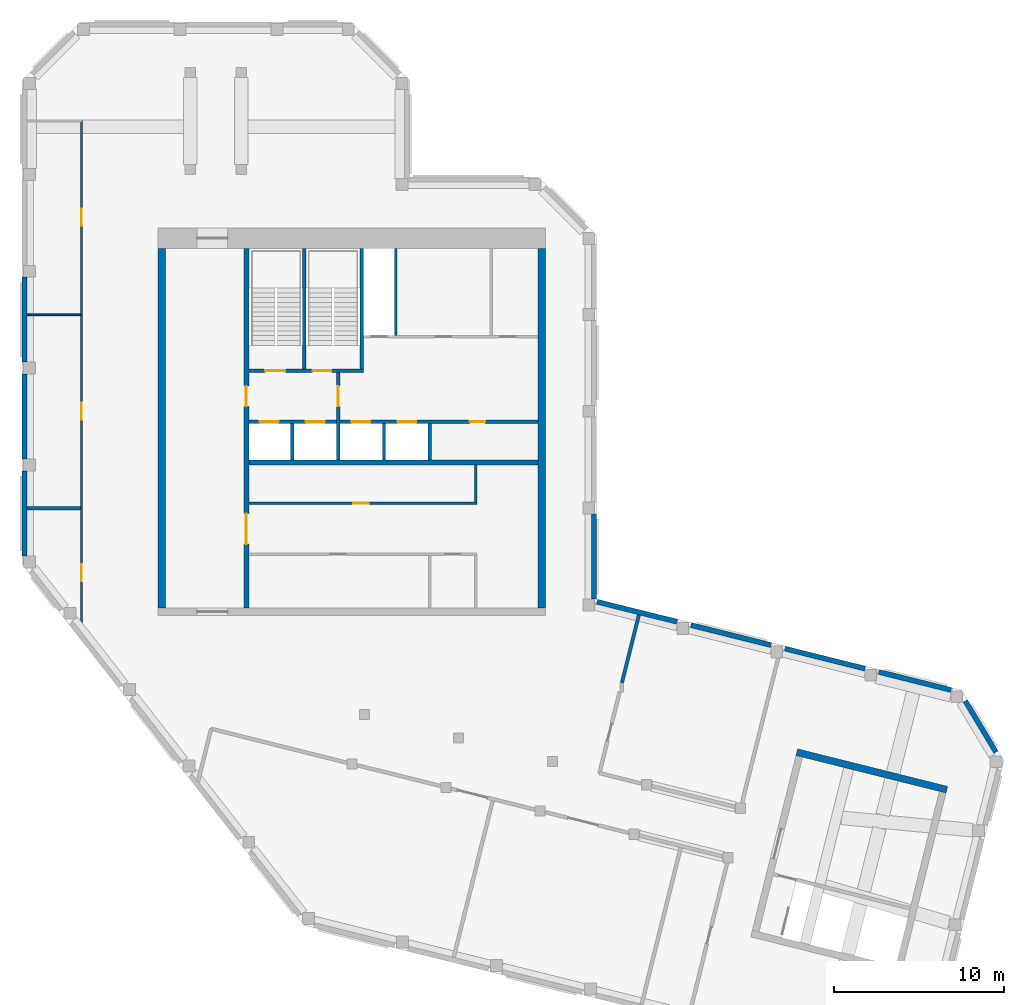
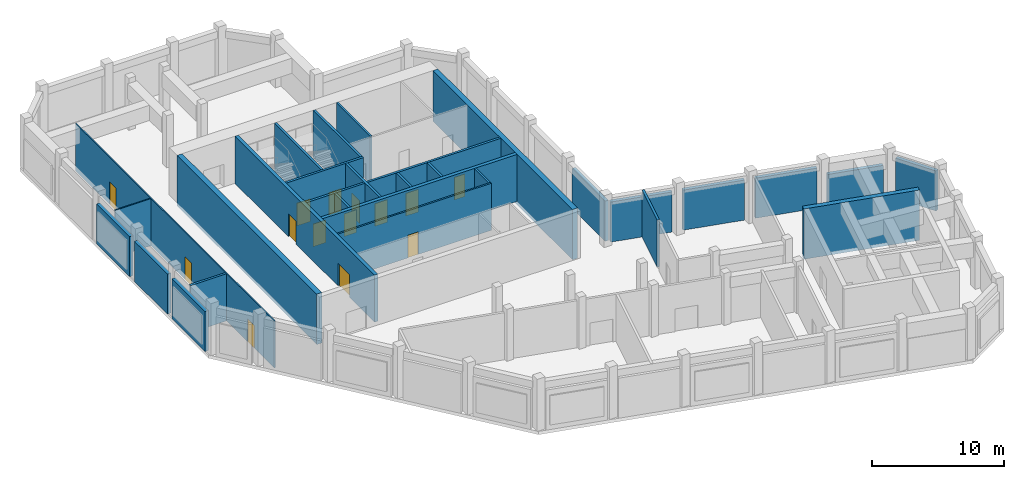
# One storey, part 3 of 5: 29 walls, 14 doors, 14 openings.
"""IFC4 building model written with IfcOpenShell, lengths in metres."""

from ifc_helpers import new_model, si_unit, direction, frame, frame_2d, origin, place, context, subcontext, project, spatial, rectangle, extrude, material, layer, layer_set, type_object, element, fill, save


model = new_model("IFC4")

# Units and contexts
model_context = context("Model", 3, precision=1e-05, world=origin(), true_north=direction((0.0, 1.0)))
body_context = subcontext(model_context, "Body", "Model", "MODEL_VIEW")
ifc_project = project(units=[si_unit("LENGTHUNIT", "METRE"), si_unit("AREAUNIT", "SQUARE_METRE"), si_unit("VOLUMEUNIT", "CUBIC_METRE"), si_unit("PLANEANGLEUNIT", "RADIAN"), si_unit("MASSUNIT", "GRAM", prefix="KILO")], contexts=[model_context])

# Site, building, storey
site_placement = place(None, origin())
site = spatial("IfcSite", under=ifc_project, at=site_placement, CompositionType="ELEMENT")
building_placement = place(site_placement, origin())
building = spatial("IfcBuilding", under=site, at=building_placement, Name="Meshkara Civic Tower", CompositionType="ELEMENT")
storey_placement = place(building_placement, frame((0.0, 0.0, 405.0)))
storey = spatial("IfcBuildingStorey", under=building, at=storey_placement, Name="L93 Crown", CompositionType="ELEMENT", Elevation=405.0)

# Walls
ifc_material_1 = material(Name="Insulated infill panel with bronze anodised aluminium cladding", Category="aluminium")
ifc_layer_1 = layer(ifc_material_1, 0.300048828125)
ifc_layer_set_1 = layer_set([ifc_layer_1], Name="CROWN WALL 300")
wall_type_1 = type_object("IfcWallType", Name="CROWN WALL 300", PredefinedType="SOLIDWALL", material=ifc_layer_set_1)
wall_1_placement = place(storey_placement, frame((54.6630859375, 9.714111328125, 0.0), z_axis=(0.0, 0.0, 1.0), x_axis=(-0.970270622343, 0.24202255973, 0.0)))
element("IfcWall", 1, at=wall_1_placement, inside=storey, type_object=wall_type_1, Name="Crown external wall", PredefinedType="SOLIDWALL", context=body_context, shape_type="SweptSolid", body=[
    extrude(rectangle(XDim=4.366943359375, YDim=0.300048828125, at=frame_2d((2.18359375, 0.0))), origin(), (0.0, 0.0, 1.0), 2.949951171875),
])
wall_2_placement = place(storey_placement, frame((49.60302734375, 10.97607421875, 0.0), z_axis=(0.0, 0.0, 1.0), x_axis=(-0.970296212968, 0.241919943578, 0.0)))
element("IfcWall", 2, at=wall_2_placement, inside=storey, type_object=wall_type_1, Name="Crown external wall", PredefinedType="SOLIDWALL", context=body_context, shape_type="SweptSolid", body=[
    extrude(rectangle(XDim=4.85205078125, YDim=0.300048828125, at=frame_2d((2.426025390625, 0.0))), origin(), (0.0, 0.0, 1.0), 3.699951171875),
])
wall_3_placement = place(storey_placement, frame((44.072021484375, 12.35498046875, 0.0), z_axis=(0.0, 0.0, 1.0), x_axis=(-0.970272614069, 0.242014574744, 0.0)))
element("IfcWall", 3, at=wall_3_placement, inside=storey, type_object=wall_type_1, Name="Crown external wall", PredefinedType="SOLIDWALL", context=body_context, shape_type="SweptSolid", body=[
    extrude(rectangle(XDim=4.851318359375, YDim=0.300048828125, at=frame_2d((2.42578125, 0.0))), origin(), (0.0, 0.0, 1.0), 3.699951171875),
])
wall_4_placement = place(storey_placement, frame((38.5419921875, 13.73388671875, 0.0), z_axis=(0.0, 0.0, 1.0), x_axis=(-0.970284401049, 0.241967314076, 0.0)))
element("IfcWall", 4, at=wall_4_placement, inside=storey, type_object=wall_type_1, Name="Crown external wall", PredefinedType="SOLIDWALL", context=body_context, shape_type="SweptSolid", body=[
    extrude(rectangle(XDim=4.852294921875, YDim=0.300048828125, at=frame_2d((2.42626953125, 0.0))), origin(), (0.0, 0.0, 1.0), 3.699951171875),
])
for number, where, z_axis, x_axis, name in (
    (5, (33.64990234375, 15.069091796875, 0.0), (0.0, 0.0, 1.0), (0.0, 1.0, 0.0), "Crown external wall"),
    (6, (0.14990234375, 34.0048828125, 0.0), (0.0, 0.0, 1.0), (0.0, -1.0, 0.0), "Crown external wall"),
    (7, (0.14990234375, 28.304931640625, 0.0), (0.0, 0.0, 1.0), (0.0, -1.0, 0.0), "Crown external wall"),
    (8, (0.14990234375, 22.60498046875, 0.0), (0.0, 0.0, 1.0), (0.0, -1.0, 0.0), "Crown external wall"),
):
    element("IfcWall", number, at=place(storey_placement, frame(where, z_axis=z_axis, x_axis=x_axis)), inside=storey, type_object=wall_type_1, Name=name, PredefinedType="SOLIDWALL", context=body_context, shape_type="SweptSolid", body=[
        extrude(rectangle(XDim=5.0, YDim=0.300048828125, at=frame_2d((2.5, 0.0))), origin(), (0.0, 0.0, 1.0), 3.699951171875),
    ])
wall_5_placement = place(storey_placement, frame((57.31103515625, 6.06005859375, 0.0), z_axis=(0.0, 0.0, 1.0), x_axis=(-0.514956880481, 0.857216082003, 0.0)))
element("IfcWall", 9, at=wall_5_placement, inside=storey, type_object=wall_type_1, Name="Crown external wall", PredefinedType="SOLIDWALL", context=body_context, shape_type="SweptSolid", body=[
    extrude(rectangle(XDim=3.503173828125, YDim=0.300048828125, at=frame_2d((1.75146484375, 0.0))), origin(), (0.0, 0.0, 1.0), 3.699951171875),
])

# Wall, opening, door
ifc_material_2 = material(Name="Blockwork", Category="masonry")
ifc_layer_2 = layer(ifc_material_2, 0.14990234375)
ifc_layer_set_2 = layer_set([ifc_layer_2], Name="Core partition 150")
wall_type_2 = type_object("IfcWallType", Name="Core partition 150", PredefinedType="PARTITIONING", material=ifc_layer_set_2)
wall_6_placement = place(storey_placement, frame((13.35009765625, 20.699951171875, 0.0), z_axis=(0.0, 0.0, 1.0), x_axis=(1.0, 0.0, 0.0)))
wall_6 = element("IfcWall", 10, at=wall_6_placement, inside=storey, type_object=wall_type_2, Name="L93 Crown-C006", PredefinedType="PARTITIONING", context=body_context, shape_type="SweptSolid", body=[
    extrude(rectangle(XDim=13.4248046875, YDim=0.14990234375, at=frame_2d((6.71240234375, 0.0))), origin(), (0.0, 0.0, 1.0), 4.35009765625),
])
opening_1_placement = place(wall_6_placement, frame((6.14990234375, 0.0, 0.0)))
opening_1 = element("IfcOpeningElement", 11, at=opening_1_placement, cuts=wall_6, Name="Opening L93 Crown-K007", PredefinedType="OPENING", context=body_context, shape_type="SweptSolid", body=[
    extrude(rectangle(XDim=0.89990234375, YDim=2.10009765625, at=frame_2d((0.449951171875, 1.050048828125))), frame((0.0, 0.0849609375, 0.0), z_axis=(0.0, -1.0, 0.0), x_axis=(1.0, 0.0, 0.0)), (0.0, 0.0, 1.0), 0.169921875),
])
ifc_material_3 = material(Name="Timber door leaf in steel frame", Category="steel")
door_type_1 = type_object("IfcDoorType", Name="Core room door 900", OperationType="SINGLE_SWING_LEFT", PredefinedType="DOOR", material=ifc_material_3)
door_1_placement = place(opening_1_placement, origin())
door_1 = element("IfcDoor", 12, at=door_1_placement, inside=storey, type_object=door_type_1, Name="L93 Crown-K007", OperationType="SINGLE_SWING_RIGHT", OverallHeight=2.10009765625, OverallWidth=0.89990234375, PredefinedType="DOOR", context=body_context, shape_type="SweptSolid", body=[
    extrude(rectangle(XDim=0.89990234375, YDim=2.10009765625, at=frame_2d((0.449951171875, 1.050048828125))), frame((0.0, 0.02490234375, 0.0), z_axis=(0.0, -1.0, 0.0), x_axis=(1.0, 0.0, 0.0)), (0.0, 0.0, 1.0), 0.050048828125),
])
fill(opening_1, door_1)

# Walls
wall_7_placement = place(storey_placement, frame((22.0, 30.574951171875, 0.0), z_axis=(0.0, 0.0, 1.0), x_axis=(0.0, 1.0, 0.0)))
element("IfcWall", 13, at=wall_7_placement, inside=storey, type_object=wall_type_2, Name="L93 Crown-C017", PredefinedType="PARTITIONING", context=body_context, shape_type="SweptSolid", body=[
    extrude(rectangle(XDim=5.125, YDim=0.14990234375, at=frame_2d((2.5625, 0.0))), origin(), (0.0, 0.0, 1.0), 4.35009765625),
])
wall_8_placement = place(storey_placement, frame((26.699951171875, 20.77490234375, 0.0), z_axis=(0.0, 0.0, 1.0), x_axis=(0.0, 1.0, 0.0)))
element("IfcWall", 14, at=wall_8_placement, inside=storey, type_object=wall_type_2, Name="L93 Crown-C021", PredefinedType="PARTITIONING", context=body_context, shape_type="SweptSolid", body=[
    extrude(rectangle(XDim=2.175048828125, YDim=0.14990234375, at=frame_2d((1.08740234375, 0.0))), origin(), (0.0, 0.0, 1.0), 4.35009765625),
])
ifc_material_4 = material(Name="Concrete C50", Category="concrete")
ifc_layer_3 = layer(ifc_material_4, 0.449951171875)
ifc_layer_set_3 = layer_set([ifc_layer_3], Name="Core ring wall 450 C50")
wall_type_3 = type_object("IfcWallType", Name="Core ring wall 450 C50", PredefinedType="SHEAR", material=ifc_layer_set_3)
for number, where, z_axis, x_axis, name in (
    (15, (8.22509765625, 14.550048828125, -0.300048828125), (0.0, 0.0, 1.0), (0.0, 1.0, 0.0), "L93 Crown-C003"),
    (16, (30.574951171875, 14.550048828125, -0.300048828125), (0.0, 0.0, 1.0), (0.0, 1.0, 0.0), "L93 Crown-C004"),
):
    element("IfcWall", number, at=place(storey_placement, frame(where, z_axis=z_axis, x_axis=x_axis)), inside=storey, type_object=wall_type_3, Name=name, PredefinedType="SHEAR", context=body_context, shape_type="SweptSolid", body=[
        extrude(rectangle(XDim=21.14990234375, YDim=0.449951171875, at=frame_2d((10.574951171875, 0.0))), origin(), (0.0, 0.0, 1.0), 4.650146484375),
    ])
ifc_material_5 = material(Name="Concrete C50", Category="concrete")
ifc_layer_4 = layer(ifc_material_5, 0.300048828125)
ifc_layer_set_4 = layer_set([ifc_layer_4], Name="Core shear wall 300 C50")
wall_type_4 = type_object("IfcWallType", Name="Core shear wall 300 C50", PredefinedType="SHEAR", material=ifc_layer_set_4)
wall_9_placement = place(storey_placement, frame((13.35009765625, 23.10009765625, 0.0), z_axis=(0.0, 0.0, 1.0), x_axis=(1.0, 0.0, 0.0)))
element("IfcWall", 17, at=wall_9_placement, inside=storey, type_object=wall_type_4, Name="L93 Crown-C007", PredefinedType="SHEAR", context=body_context, shape_type="SweptSolid", body=[
    extrude(rectangle(XDim=17.0, YDim=0.300048828125, at=frame_2d((8.5, 0.0))), origin(), (0.0, 0.0, 1.0), 4.35009765625),
])

# Wall, openings, doors
wall_10_placement = place(storey_placement, frame((13.199951171875, 14.550048828125, 0.0), z_axis=(0.0, 0.0, 1.0), x_axis=(0.0, 1.0, 0.0)))
wall_10 = element("IfcWall", 18, at=wall_10_placement, inside=storey, type_object=wall_type_4, Name="L93 Crown-C011", PredefinedType="SHEAR", context=body_context, shape_type="SweptSolid", body=[
    extrude(rectangle(XDim=21.14990234375, YDim=0.300048828125, at=frame_2d((10.574951171875, 0.0))), origin(), (0.0, 0.0, 1.0), 4.35009765625),
])
opening_2_placement = place(wall_10_placement, frame((3.75, 0.0, 0.0)))
opening_2 = element("IfcOpeningElement", 19, at=opening_2_placement, cuts=wall_10, Name="Opening L93 Crown-K014", PredefinedType="OPENING", context=body_context, shape_type="SweptSolid", body=[
    extrude(rectangle(XDim=1.800048828125, YDim=2.10009765625, at=frame_2d((0.89990234375, 1.050048828125))), frame((0.0, 0.159912109375, 0.0), z_axis=(0.0, -1.0, 0.0), x_axis=(1.0, 0.0, 0.0)), (0.0, 0.0, 1.0), 0.320068359375),
])
opening_3_placement = place(wall_10_placement, frame((11.85009765625, 0.0, 0.0)))
opening_3 = element("IfcOpeningElement", 20, at=opening_3_placement, cuts=wall_10, Name="Opening L93 Crown-K015", PredefinedType="OPENING", context=body_context, shape_type="SweptSolid", body=[
    extrude(rectangle(XDim=1.199951171875, YDim=2.10009765625, at=frame_2d((0.60009765625, 1.050048828125))), frame((0.0, 0.159912109375, 0.0), z_axis=(0.0, -1.0, 0.0), x_axis=(1.0, 0.0, 0.0)), (0.0, 0.0, 1.0), 0.320068359375),
])
ifc_material_6 = material(Name="Fire-rated door leaf in steel frame", Category="steel")
door_type_2 = type_object("IfcDoorType", Name="Core double door 1800 EI 60", OperationType="DOUBLE_DOOR_SINGLE_SWING", PredefinedType="DOOR", material=ifc_material_6)
door_2_placement = place(opening_2_placement, origin())
door_2 = element("IfcDoor", 21, at=door_2_placement, inside=storey, type_object=door_type_2, Name="L93 Crown-K014", OperationType="DOUBLE_DOOR_SINGLE_SWING", OverallHeight=2.10009765625, OverallWidth=1.800048828125, PredefinedType="DOOR", context=body_context, shape_type="SweptSolid", body=[
    extrude(rectangle(XDim=1.800048828125, YDim=2.10009765625, at=frame_2d((0.89990234375, 1.050048828125))), frame((0.0, 0.02490234375, 0.0), z_axis=(0.0, -1.0, 0.0), x_axis=(1.0, 0.0, 0.0)), (0.0, 0.0, 1.0), 0.050048828125),
])
fill(opening_2, door_2)
ifc_material_7 = material(Name="Fire-rated door leaf in steel frame", Category="steel")
door_type_3 = type_object("IfcDoorType", Name="Fire-fighting lobby door 1200 EI 120", OperationType="SINGLE_SWING_LEFT", PredefinedType="DOOR", material=ifc_material_7)
door_3_placement = place(opening_3_placement, origin())
door_3 = element("IfcDoor", 22, at=door_3_placement, inside=storey, type_object=door_type_3, Name="L93 Crown-K015", OperationType="SINGLE_SWING_LEFT", OverallHeight=2.10009765625, OverallWidth=1.199951171875, PredefinedType="DOOR", context=body_context, shape_type="SweptSolid", body=[
    extrude(rectangle(XDim=1.199951171875, YDim=2.10009765625, at=frame_2d((0.60009765625, 1.050048828125))), frame((0.0, 0.02490234375, 0.0), z_axis=(0.0, -1.0, 0.0), x_axis=(1.0, 0.0, 0.0)), (0.0, 0.0, 1.0), 0.050048828125),
])
fill(opening_3, door_3)

ifc_material_8 = material(Name="Corridor wall 100")
ifc_layer_5 = layer(ifc_material_8, 0.10009765625)
ifc_layer_set_5 = layer_set([ifc_layer_5], Name="Corridor wall 100")
wall_type_5 = type_object("IfcWallType", Name="Corridor wall 100", PredefinedType="PARTITIONING", material=ifc_layer_set_5)
wall_11_placement = place(storey_placement, frame((3.5, 43.199951171875, 0.0), z_axis=(0.0, 0.0, 1.0), x_axis=(0.0, -1.0, 0.0)))
wall_11 = element("IfcWall", 23, at=wall_11_placement, inside=storey, type_object=wall_type_5, Name="L93 Crown-R002", PredefinedType="PARTITIONING", context=body_context, shape_type="SweptSolid", body=[
    extrude(rectangle(XDim=30.093017578125, YDim=0.10009765625, at=frame_2d((15.04638671875, 0.0))), origin(), (0.0, 0.0, 1.0), 4.35009765625),
])
opening_4_placement = place(wall_11_placement, frame((26.080078125, 0.0, 0.0)))
opening_4 = element("IfcOpeningElement", 24, at=opening_4_placement, cuts=wall_11, Name="Opening L93 Crown-P005", PredefinedType="OPENING", context=body_context, shape_type="SweptSolid", body=[
    extrude(rectangle(XDim=1.0, YDim=2.10009765625, at=frame_2d((0.5, 1.050048828125))), frame((0.0, 0.06005859375, 0.0), z_axis=(0.0, -1.0, 0.0), x_axis=(1.0, 0.0, 0.0)), (0.0, 0.0, 1.0), 0.1201171875),
])
opening_5_placement = place(wall_11_placement, frame((16.580078125, 0.0, 0.0)))
opening_5 = element("IfcOpeningElement", 25, at=opening_5_placement, cuts=wall_11, Name="Opening L93 Crown-P006", PredefinedType="OPENING", context=body_context, shape_type="SweptSolid", body=[
    extrude(rectangle(XDim=1.0, YDim=2.10009765625, at=frame_2d((0.5, 1.050048828125))), frame((0.0, 0.06005859375, 0.0), z_axis=(0.0, -1.0, 0.0), x_axis=(1.0, 0.0, 0.0)), (0.0, 0.0, 1.0), 0.1201171875),
])
opening_6_placement = place(wall_11_placement, frame((5.179931640625, 0.0, 0.0)))
opening_6 = element("IfcOpeningElement", 26, at=opening_6_placement, cuts=wall_11, Name="Opening L93 Crown-P007", PredefinedType="OPENING", context=body_context, shape_type="SweptSolid", body=[
    extrude(rectangle(XDim=1.0, YDim=2.10009765625, at=frame_2d((0.5, 1.050048828125))), frame((0.0, 0.06005859375, 0.0), z_axis=(0.0, -1.0, 0.0), x_axis=(1.0, 0.0, 0.0)), (0.0, 0.0, 1.0), 0.1201171875),
])
ifc_material_9 = material(Name="Door 1000 x 2100")
door_type_4 = type_object("IfcDoorType", Name="Door 1000 x 2100", OperationType="SINGLE_SWING_LEFT", PredefinedType="DOOR", material=ifc_material_9)
door_4_placement = place(opening_4_placement, origin())
door_4 = element("IfcDoor", 27, at=door_4_placement, inside=storey, type_object=door_type_4, Name="L93 Crown-P005", OperationType="SINGLE_SWING_RIGHT", OverallHeight=2.10009765625, OverallWidth=1.0, PredefinedType="DOOR", context=body_context, shape_type="SweptSolid", body=[
    extrude(rectangle(XDim=1.0, YDim=2.10009765625, at=frame_2d((0.5, 1.050048828125))), frame((0.0, 0.02490234375, 0.0), z_axis=(0.0, -1.0, 0.0), x_axis=(1.0, 0.0, 0.0)), (0.0, 0.0, 1.0), 0.050048828125),
])
fill(opening_4, door_4)
door_5_placement = place(opening_5_placement, origin())
door_5 = element("IfcDoor", 28, at=door_5_placement, inside=storey, type_object=door_type_4, Name="L93 Crown-P006", OperationType="SINGLE_SWING_LEFT", OverallHeight=2.10009765625, OverallWidth=1.0, PredefinedType="DOOR", context=body_context, shape_type="SweptSolid", body=[
    extrude(rectangle(XDim=1.0, YDim=2.10009765625, at=frame_2d((0.5, 1.050048828125))), frame((0.0, 0.02490234375, 0.0), z_axis=(0.0, -1.0, 0.0), x_axis=(1.0, 0.0, 0.0)), (0.0, 0.0, 1.0), 0.050048828125),
])
fill(opening_5, door_5)
door_6_placement = place(opening_6_placement, origin())
door_6 = element("IfcDoor", 29, at=door_6_placement, inside=storey, type_object=door_type_4, Name="L93 Crown-P007", OperationType="SINGLE_SWING_LEFT", OverallHeight=2.10009765625, OverallWidth=1.0, PredefinedType="DOOR", context=body_context, shape_type="SweptSolid", body=[
    extrude(rectangle(XDim=1.0, YDim=2.10009765625, at=frame_2d((0.5, 1.050048828125))), frame((0.0, 0.02490234375, 0.0), z_axis=(0.0, -1.0, 0.0), x_axis=(1.0, 0.0, 0.0)), (0.0, 0.0, 1.0), 0.050048828125),
])
fill(opening_6, door_6)

# Walls
ifc_material_10 = material(Name="Concrete C50", Category="concrete")
ifc_layer_6 = layer(ifc_material_10, 0.39990234375)
ifc_layer_set_6 = layer_set([ifc_layer_6], Name="End core ring wall 400 C50")
wall_type_6 = type_object("IfcWallType", Name="End core ring wall 400 C50", PredefinedType="SHEAR", material=ifc_layer_set_6)
wall_12_placement = place(storey_placement, frame((45.587890625, 6.051025390625, -0.300048828125), z_axis=(0.0, 0.0, 1.0), x_axis=(0.970312696888, -0.241853820019, 0.0)))
element("IfcWall", 30, at=wall_12_placement, inside=storey, type_object=wall_type_6, Name="L93 Crown-C024", PredefinedType="SHEAR", context=body_context, shape_type="SweptSolid", body=[
    extrude(rectangle(XDim=9.100341796875, YDim=0.39990234375, at=frame_2d((4.55029296875, 0.0))), origin(), (0.0, 0.0, 1.0), 4.650146484375),
])
ifc_material_11 = material(Name="Fire-rated wall 200")
ifc_layer_7 = layer(ifc_material_11, 0.199951171875)
ifc_layer_set_7 = layer_set([ifc_layer_7], Name="Fire-rated wall 200")
wall_type_7 = type_object("IfcWallType", Name="Fire-rated wall 200", PredefinedType="PARTITIONING", material=ifc_layer_set_7)
wall_13_placement = place(storey_placement, frame((35.300048828125, 10.134033203125, 0.0), z_axis=(0.0, 0.0, 1.0), x_axis=(0.24203457236, 0.970267625855, 0.0)))
element("IfcWall", 31, at=wall_13_placement, inside=storey, type_object=wall_type_7, Name="L93 Crown-R010", PredefinedType="PARTITIONING", context=body_context, shape_type="SweptSolid", body=[
    extrude(rectangle(XDim=4.127685546875, YDim=0.199951171875, at=frame_2d((2.06396484375, 0.0))), origin(), (0.0, 0.0, 1.0), 4.35009765625),
])
wall_14_placement = place(storey_placement, frame((3.449951171875, 20.39990234375, 0.0), z_axis=(0.0, 0.0, 1.0), x_axis=(-1.0, 0.0, 0.0)))
element("IfcWall", 32, at=wall_14_placement, inside=storey, type_object=wall_type_7, Name="L93 Crown-R016", PredefinedType="PARTITIONING", context=body_context, shape_type="SweptSolid", body=[
    extrude(rectangle(XDim=3.14990234375, YDim=0.199951171875, at=frame_2d((1.574951171875, 0.0))), origin(), (0.0, 0.0, 1.0), 4.35009765625),
])
ifc_material_12 = material(Name="Partition 100")
ifc_layer_8 = layer(ifc_material_12, 0.10009765625)
ifc_layer_set_8 = layer_set([ifc_layer_8], Name="Partition 100")
wall_type_8 = type_object("IfcWallType", Name="Partition 100", PredefinedType="PARTITIONING", material=ifc_layer_set_8)
wall_15_placement = place(storey_placement, frame((3.449951171875, 31.800048828125, 0.0), z_axis=(0.0, 0.0, 1.0), x_axis=(-1.0, 0.0, 0.0)))
element("IfcWall", 33, at=wall_15_placement, inside=storey, type_object=wall_type_8, Name="L93 Crown-R017", PredefinedType="PARTITIONING", context=body_context, shape_type="SweptSolid", body=[
    extrude(rectangle(XDim=3.14990234375, YDim=0.10009765625, at=frame_2d((1.574951171875, 0.0))), origin(), (0.0, 0.0, 1.0), 4.35009765625),
])

# Wall, openings, doors
ifc_material_13 = material(Name="Concrete C40/50", Category="concrete")
ifc_layer_9 = layer(ifc_material_13, 0.199951171875)
ifc_layer_set_9 = layer_set([ifc_layer_9], Name="Shaft wall 200 C40/50")
wall_type_9 = type_object("IfcWallType", Name="Shaft wall 200 C40/50", PredefinedType="SOLIDWALL", material=ifc_layer_set_9)
wall_16_placement = place(storey_placement, frame((13.35009765625, 25.5, 0.0), z_axis=(0.0, 0.0, 1.0), x_axis=(1.0, 0.0, 0.0)))
wall_16 = element("IfcWall", 34, at=wall_16_placement, inside=storey, type_object=wall_type_9, Name="L93 Crown-C008", PredefinedType="SOLIDWALL", context=body_context, shape_type="SweptSolid", body=[
    extrude(rectangle(XDim=17.0, YDim=0.199951171875, at=frame_2d((8.5, 0.0))), origin(), (0.0, 0.0, 1.0), 4.35009765625),
])
opening_7_placement = place(wall_16_placement, frame((0.64990234375, 0.0, 0.0)))
opening_7 = element("IfcOpeningElement", 35, at=opening_7_placement, cuts=wall_16, Name="Opening L93 Crown-K001", PredefinedType="OPENING", context=body_context, shape_type="SweptSolid", body=[
    extrude(rectangle(XDim=1.10009765625, YDim=2.10009765625, at=frame_2d((0.550048828125, 1.050048828125))), frame((0.0, 0.10986328125, 0.0), z_axis=(0.0, -1.0, 0.0), x_axis=(1.0, 0.0, 0.0)), (0.0, 0.0, 1.0), 0.219970703125),
])
opening_8_placement = place(wall_16_placement, frame((3.35009765625, 0.0, 0.0)))
opening_8 = element("IfcOpeningElement", 36, at=opening_8_placement, cuts=wall_16, Name="Opening L93 Crown-K002", PredefinedType="OPENING", context=body_context, shape_type="SweptSolid", body=[
    extrude(rectangle(XDim=1.10009765625, YDim=2.10009765625, at=frame_2d((0.550048828125, 1.050048828125))), frame((0.0, 0.10986328125, 0.0), z_axis=(0.0, -1.0, 0.0), x_axis=(1.0, 0.0, 0.0)), (0.0, 0.0, 1.0), 0.219970703125),
])
opening_9_placement = place(wall_16_placement, frame((6.050048828125, 0.0, 0.0)))
opening_9 = element("IfcOpeningElement", 37, at=opening_9_placement, cuts=wall_16, Name="Opening L93 Crown-K003", PredefinedType="OPENING", context=body_context, shape_type="SweptSolid", body=[
    extrude(rectangle(XDim=1.10009765625, YDim=2.10009765625, at=frame_2d((0.550048828125, 1.050048828125))), frame((0.0, 0.10986328125, 0.0), z_axis=(0.0, -1.0, 0.0), x_axis=(1.0, 0.0, 0.0)), (0.0, 0.0, 1.0), 0.219970703125),
])
opening_10_placement = place(wall_16_placement, frame((8.75, 0.0, 0.0)))
opening_10 = element("IfcOpeningElement", 38, at=opening_10_placement, cuts=wall_16, Name="Opening L93 Crown-K004", PredefinedType="OPENING", context=body_context, shape_type="SweptSolid", body=[
    extrude(rectangle(XDim=1.10009765625, YDim=2.10009765625, at=frame_2d((0.550048828125, 1.050048828125))), frame((0.0, 0.10986328125, 0.0), z_axis=(0.0, -1.0, 0.0), x_axis=(1.0, 0.0, 0.0)), (0.0, 0.0, 1.0), 0.219970703125),
])
opening_11_placement = place(wall_16_placement, frame((13.0, 0.0, 0.0)))
opening_11 = element("IfcOpeningElement", 39, at=opening_11_placement, cuts=wall_16, Name="Opening L93 Crown-K008", PredefinedType="OPENING", context=body_context, shape_type="SweptSolid", body=[
    extrude(rectangle(XDim=0.89990234375, YDim=2.10009765625, at=frame_2d((0.449951171875, 1.050048828125))), frame((0.0, 0.10986328125, 0.0), z_axis=(0.0, -1.0, 0.0), x_axis=(1.0, 0.0, 0.0)), (0.0, 0.0, 1.0), 0.219970703125),
])
door_7_placement = place(opening_11_placement, origin())
door_7 = element("IfcDoor", 40, at=door_7_placement, inside=storey, type_object=door_type_1, Name="L93 Crown-K008", OperationType="SINGLE_SWING_LEFT", OverallHeight=2.10009765625, OverallWidth=0.89990234375, PredefinedType="DOOR", context=body_context, shape_type="SweptSolid", body=[
    extrude(rectangle(XDim=0.89990234375, YDim=2.10009765625, at=frame_2d((0.449951171875, 1.050048828125))), frame((0.0, 0.02490234375, 0.0), z_axis=(0.0, -1.0, 0.0), x_axis=(1.0, 0.0, 0.0)), (0.0, 0.0, 1.0), 0.050048828125),
])
fill(opening_11, door_7)
ifc_material_14 = material(Name="Stainless steel landing door", Category="steel")
door_type_5 = type_object("IfcDoorType", Name="Lift landing door 1100", OperationType="SLIDING_TO_LEFT", PredefinedType="DOOR", material=ifc_material_14)
door_8_placement = place(opening_7_placement, origin())
door_8 = element("IfcDoor", 41, at=door_8_placement, inside=storey, type_object=door_type_5, Name="L93 Crown-K001", OperationType="SLIDING_TO_LEFT", OverallHeight=2.10009765625, OverallWidth=1.10009765625, PredefinedType="DOOR", context=body_context, shape_type="SweptSolid", body=[
    extrude(rectangle(XDim=1.10009765625, YDim=2.10009765625, at=frame_2d((0.550048828125, 1.050048828125))), frame((0.0, 0.02490234375, 0.0), z_axis=(0.0, -1.0, 0.0), x_axis=(1.0, 0.0, 0.0)), (0.0, 0.0, 1.0), 0.050048828125),
])
fill(opening_7, door_8)
door_9_placement = place(opening_8_placement, origin())
door_9 = element("IfcDoor", 42, at=door_9_placement, inside=storey, type_object=door_type_5, Name="L93 Crown-K002", OperationType="SLIDING_TO_LEFT", OverallHeight=2.10009765625, OverallWidth=1.10009765625, PredefinedType="DOOR", context=body_context, shape_type="SweptSolid", body=[
    extrude(rectangle(XDim=1.10009765625, YDim=2.10009765625, at=frame_2d((0.550048828125, 1.050048828125))), frame((0.0, 0.02490234375, 0.0), z_axis=(0.0, -1.0, 0.0), x_axis=(1.0, 0.0, 0.0)), (0.0, 0.0, 1.0), 0.050048828125),
])
fill(opening_8, door_9)
door_10_placement = place(opening_9_placement, origin())
door_10 = element("IfcDoor", 43, at=door_10_placement, inside=storey, type_object=door_type_5, Name="L93 Crown-K003", OperationType="SLIDING_TO_LEFT", OverallHeight=2.10009765625, OverallWidth=1.10009765625, PredefinedType="DOOR", context=body_context, shape_type="SweptSolid", body=[
    extrude(rectangle(XDim=1.10009765625, YDim=2.10009765625, at=frame_2d((0.550048828125, 1.050048828125))), frame((0.0, 0.02490234375, 0.0), z_axis=(0.0, -1.0, 0.0), x_axis=(1.0, 0.0, 0.0)), (0.0, 0.0, 1.0), 0.050048828125),
])
fill(opening_9, door_10)
door_11_placement = place(opening_10_placement, origin())
door_11 = element("IfcDoor", 44, at=door_11_placement, inside=storey, type_object=door_type_5, Name="L93 Crown-K004", OperationType="SLIDING_TO_LEFT", OverallHeight=2.10009765625, OverallWidth=1.10009765625, PredefinedType="DOOR", context=body_context, shape_type="SweptSolid", body=[
    extrude(rectangle(XDim=1.10009765625, YDim=2.10009765625, at=frame_2d((0.550048828125, 1.050048828125))), frame((0.0, 0.02490234375, 0.0), z_axis=(0.0, -1.0, 0.0), x_axis=(1.0, 0.0, 0.0)), (0.0, 0.0, 1.0), 0.050048828125),
])
fill(opening_10, door_11)

# Wall
wall_17_placement = place(storey_placement, frame((15.89990234375, 23.25, 0.0), z_axis=(0.0, 0.0, 1.0), x_axis=(0.0, 1.0, 0.0)))
element("IfcWall", 45, at=wall_17_placement, inside=storey, type_object=wall_type_9, Name="L93 Crown-C012", PredefinedType="SOLIDWALL", context=body_context, shape_type="SweptSolid", body=[
    extrude(rectangle(XDim=2.14990234375, YDim=0.199951171875, at=frame_2d((1.074951171875, 0.0))), origin(), (0.0, 0.0, 1.0), 4.35009765625),
])

# Wall, opening, door
wall_18_placement = place(storey_placement, frame((18.60009765625, 23.25, 0.0), z_axis=(0.0, 0.0, 1.0), x_axis=(0.0, 1.0, 0.0)))
wall_18 = element("IfcWall", 46, at=wall_18_placement, inside=storey, type_object=wall_type_9, Name="L93 Crown-C014", PredefinedType="SOLIDWALL", context=body_context, shape_type="SweptSolid", body=[
    extrude(rectangle(XDim=5.14990234375, YDim=0.199951171875, at=frame_2d((2.574951171875, 0.0))), origin(), (0.0, 0.0, 1.0), 4.35009765625),
])
opening_12_placement = place(wall_18_placement, frame((3.14990234375, 0.0, 0.0)))
opening_12 = element("IfcOpeningElement", 47, at=opening_12_placement, cuts=wall_18, Name="Opening L93 Crown-K016", PredefinedType="OPENING", context=body_context, shape_type="SweptSolid", body=[
    extrude(rectangle(XDim=1.199951171875, YDim=2.10009765625, at=frame_2d((0.60009765625, 1.050048828125))), frame((0.0, 0.10986328125, 0.0), z_axis=(0.0, -1.0, 0.0), x_axis=(1.0, 0.0, 0.0)), (0.0, 0.0, 1.0), 0.219970703125),
])
door_12_placement = place(opening_12_placement, origin())
door_12 = element("IfcDoor", 48, at=door_12_placement, inside=storey, type_object=door_type_3, Name="L93 Crown-K016", OperationType="SINGLE_SWING_RIGHT", OverallHeight=2.10009765625, OverallWidth=1.199951171875, PredefinedType="DOOR", context=body_context, shape_type="SweptSolid", body=[
    extrude(rectangle(XDim=1.199951171875, YDim=2.10009765625, at=frame_2d((0.60009765625, 1.050048828125))), frame((0.0, 0.02490234375, 0.0), z_axis=(0.0, -1.0, 0.0), x_axis=(1.0, 0.0, 0.0)), (0.0, 0.0, 1.0), 0.050048828125),
])
fill(opening_12, door_12)

# Walls
for number, where, z_axis, x_axis, name in (
    (49, (21.300048828125, 23.25, 0.0), (0.0, 0.0, 1.0), (0.0, 1.0, 0.0), "L93 Crown-C016"),
    (50, (24.0, 23.25, 0.0), (0.0, 0.0, 1.0), (0.0, 1.0, 0.0), "L93 Crown-C019"),
):
    element("IfcWall", number, at=place(storey_placement, frame(where, z_axis=z_axis, x_axis=x_axis)), inside=storey, type_object=wall_type_9, Name=name, PredefinedType="SOLIDWALL", context=body_context, shape_type="SweptSolid", body=[
        extrude(rectangle(XDim=2.14990234375, YDim=0.199951171875, at=frame_2d((1.074951171875, 0.0))), origin(), (0.0, 0.0, 1.0), 4.35009765625),
    ])

# Wall, openings, doors
ifc_material_15 = material(Name="Concrete C40/50", Category="concrete")
ifc_layer_10 = layer(ifc_material_15, 0.199951171875)
ifc_layer_set_10 = layer_set([ifc_layer_10], Name="Stair enclosure wall 200 C40/50")
wall_type_10 = type_object("IfcWallType", Name="Stair enclosure wall 200 C40/50", PredefinedType="SOLIDWALL", material=ifc_layer_set_10)
wall_19_placement = place(storey_placement, frame((13.35009765625, 28.5, 0.0), z_axis=(0.0, 0.0, 1.0), x_axis=(1.0, 0.0, 0.0)))
wall_19 = element("IfcWall", 51, at=wall_19_placement, inside=storey, type_object=wall_type_10, Name="L93 Crown-C009", PredefinedType="SOLIDWALL", context=body_context, shape_type="SweptSolid", body=[
    extrude(rectangle(XDim=6.75, YDim=0.199951171875, at=frame_2d((3.375, 0.0))), origin(), (0.0, 0.0, 1.0), 4.35009765625),
])
opening_13_placement = place(wall_19_placement, frame((0.949951171875, 0.0, 0.0)))
opening_13 = element("IfcOpeningElement", 52, at=opening_13_placement, cuts=wall_19, Name="Opening L93 Crown-K012", PredefinedType="OPENING", context=body_context, shape_type="SweptSolid", body=[
    extrude(rectangle(XDim=1.199951171875, YDim=2.10009765625, at=frame_2d((0.60009765625, 1.050048828125))), frame((0.0, 0.10986328125, 0.0), z_axis=(0.0, -1.0, 0.0), x_axis=(1.0, 0.0, 0.0)), (0.0, 0.0, 1.0), 0.219970703125),
])
opening_14_placement = place(wall_19_placement, frame((3.75, 0.0, 0.0)))
opening_14 = element("IfcOpeningElement", 53, at=opening_14_placement, cuts=wall_19, Name="Opening L93 Crown-K013", PredefinedType="OPENING", context=body_context, shape_type="SweptSolid", body=[
    extrude(rectangle(XDim=1.10009765625, YDim=2.10009765625, at=frame_2d((0.550048828125, 1.050048828125))), frame((0.0, 0.10986328125, 0.0), z_axis=(0.0, -1.0, 0.0), x_axis=(1.0, 0.0, 0.0)), (0.0, 0.0, 1.0), 0.219970703125),
])
ifc_material_16 = material(Name="Fire-rated door leaf in steel frame", Category="steel")
door_type_6 = type_object("IfcDoorType", Name="Stair door 1100 EI 120", OperationType="SINGLE_SWING_LEFT", PredefinedType="DOOR", material=ifc_material_16)
door_13_placement = place(opening_14_placement, origin())
door_13 = element("IfcDoor", 54, at=door_13_placement, inside=storey, type_object=door_type_6, Name="L93 Crown-K013", OperationType="SINGLE_SWING_LEFT", OverallHeight=2.10009765625, OverallWidth=1.10009765625, PredefinedType="DOOR", context=body_context, shape_type="SweptSolid", body=[
    extrude(rectangle(XDim=1.10009765625, YDim=2.10009765625, at=frame_2d((0.550048828125, 1.050048828125))), frame((0.0, 0.02490234375, 0.0), z_axis=(0.0, -1.0, 0.0), x_axis=(1.0, 0.0, 0.0)), (0.0, 0.0, 1.0), 0.050048828125),
])
fill(opening_14, door_13)
ifc_material_17 = material(Name="Fire-rated door leaf in steel frame", Category="steel")
door_type_7 = type_object("IfcDoorType", Name="Stair door 1200 EI 120", OperationType="SINGLE_SWING_LEFT", PredefinedType="DOOR", material=ifc_material_17)
door_14_placement = place(opening_13_placement, origin())
door_14 = element("IfcDoor", 55, at=door_14_placement, inside=storey, type_object=door_type_7, Name="L93 Crown-K012", OperationType="SINGLE_SWING_RIGHT", OverallHeight=2.10009765625, OverallWidth=1.199951171875, PredefinedType="DOOR", context=body_context, shape_type="SweptSolid", body=[
    extrude(rectangle(XDim=1.199951171875, YDim=2.10009765625, at=frame_2d((0.60009765625, 1.050048828125))), frame((0.0, 0.02490234375, 0.0), z_axis=(0.0, -1.0, 0.0), x_axis=(1.0, 0.0, 0.0)), (0.0, 0.0, 1.0), 0.050048828125),
])
fill(opening_13, door_14)

# Walls
for number, where, z_axis, x_axis, name in (
    (56, (16.60009765625, 28.60009765625, 0.0), (0.0, 0.0, 1.0), (0.0, 1.0, 0.0), "L93 Crown-C013"),
    (57, (20.0, 28.60009765625, 0.0), (0.0, 0.0, 1.0), (0.0, 1.0, 0.0), "L93 Crown-C015"),
):
    element("IfcWall", number, at=place(storey_placement, frame(where, z_axis=z_axis, x_axis=x_axis)), inside=storey, type_object=wall_type_10, Name=name, PredefinedType="SOLIDWALL", context=body_context, shape_type="SweptSolid", body=[
        extrude(rectangle(XDim=7.099853515625, YDim=0.199951171875, at=frame_2d((3.5498046875, 0.0))), origin(), (0.0, 0.0, 1.0), 4.35009765625),
    ])

save(model, "model.ifc")
